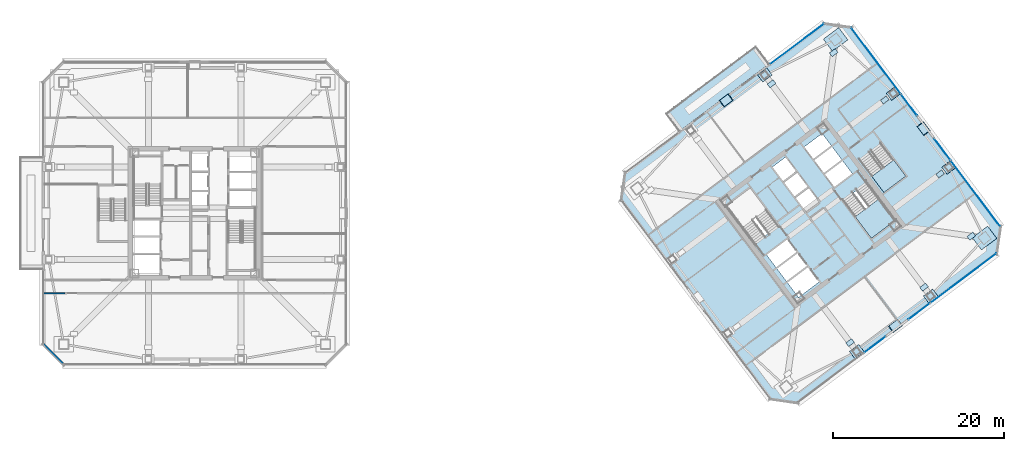
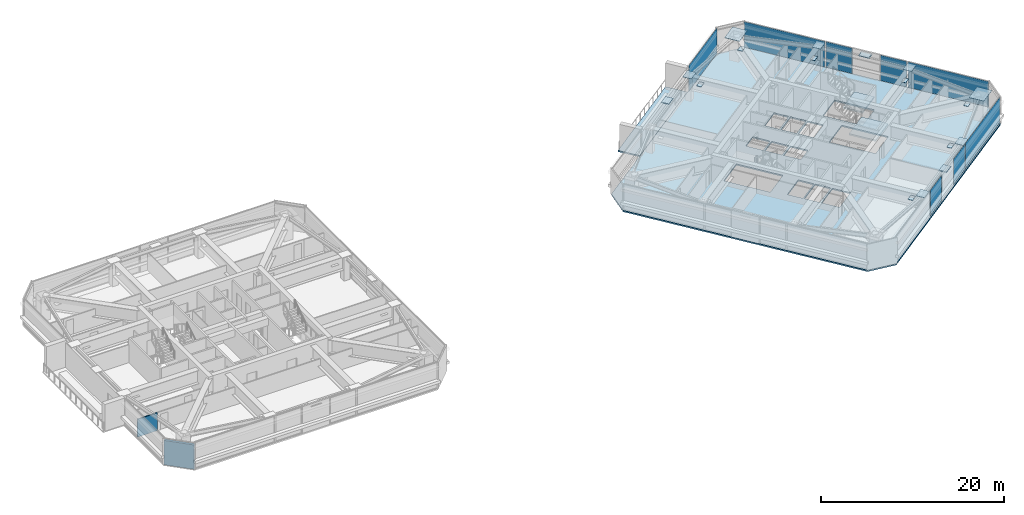
# One storey, part 31 of 42: 28 plates, 4 slabs, 2 walls, 10 elements without a shape of their own.
"""IFC4 building model written with IfcOpenShell, lengths in metres."""

from ifc_helpers import new_model, si_unit, direction, frame, frame_2d, origin, origin_2d, place, context, subcontext, project, spatial, polyline, rectangle, outline, extrude, material, layer, layer_set, type_object, element, aggregate, save


model = new_model("IFC4")

# Units and contexts
model_context = context("Model", 3, precision=1e-05, world=origin(), true_north=direction((0.0, 1.0)))
body_context = subcontext(model_context, "Body", "Model", "MODEL_VIEW")
ifc_project = project(units=[si_unit("LENGTHUNIT", "METRE"), si_unit("AREAUNIT", "SQUARE_METRE"), si_unit("VOLUMEUNIT", "CUBIC_METRE"), si_unit("PLANEANGLEUNIT", "RADIAN"), si_unit("MASSUNIT", "GRAM", prefix="KILO")], contexts=[model_context])

# Site, building, storey
site_placement = place(None, origin())
site = spatial("IfcSite", under=ifc_project, at=site_placement, CompositionType="ELEMENT")
building_placement = place(site_placement, origin())
building = spatial("IfcBuilding", under=site, at=building_placement, Name="Tashvorn Skyway Center", CompositionType="ELEMENT")
storey_placement = place(building_placement, frame((0.0, 0.0, 196.050048828125)))
storey = spatial("IfcBuildingStorey", under=building, at=storey_placement, Name="L53", CompositionType="ELEMENT", Elevation=196.050048828125)

# Curtain wall, plate
ifc_material_1 = material(Name="Thermally broken bronze-anodized aluminium 6063-T6", Category="aluminium")
curtain_wall_type = type_object("IfcCurtainWallType", Name="CW-CW-Z4", PredefinedType="NOTDEFINED", material=ifc_material_1)
curtain_wall_1_placement = place(storey_placement, origin())
curtain_wall_1 = element("IfcCurtainWall", 1, at=curtain_wall_1_placement, inside=storey, type_object=curtain_wall_type, Name="Tower 2 L53 South Unitised Curtain Wall Glazing Group 1", PredefinedType="NOTDEFINED")
ifc_material_2 = material(Name="Low-E solar-control double insulating safety glass", Category="glass")
ifc_layer_1 = layer(ifc_material_2, 0.035888671875)
ifc_layer_set_1 = layer_set([ifc_layer_1], Name="Low-E solar-control double insulating safety glass")
plate_type_1 = type_object("IfcPlateType", Name="CWP-CW-Z4", PredefinedType="CURTAIN_PANEL", material=ifc_layer_set_1)
plate_1_placement = place(storey_placement, frame((131.843994140625, 24.407958984375, 0.06982421875), z_axis=(0.0, 0.0, 1.0), x_axis=(-0.799999999998, -0.600000000002, 0.0)))
plate_1 = element("IfcPlate", 2, at=plate_1_placement, type_object=plate_type_1, Name="CW-Z4 panel 1.1", PredefinedType="CURTAIN_PANEL", context=body_context, shape_type="SweptSolid", body=[
    extrude(rectangle(XDim=9.580078125, YDim=0.035888671875, at=origin_2d()), origin(), (0.0, 0.0, 1.0), 3.409912109375),
])
aggregate(curtain_wall_1, [plate_1])

curtain_wall_2_placement = place(storey_placement, origin())
curtain_wall_2 = element("IfcCurtainWall", 3, at=curtain_wall_2_placement, inside=storey, type_object=curtain_wall_type, Name="Tower 2 L53 South Unitised Curtain Wall Glazing Group 2", PredefinedType="NOTDEFINED")
plate_2_placement = place(storey_placement, frame((126.659912109375, 20.52001953125, 0.06982421875), z_axis=(0.0, 0.0, 1.0), x_axis=(-0.799999999998, -0.600000000002, 0.0)))
plate_2 = element("IfcPlate", 4, at=plate_2_placement, type_object=plate_type_1, Name="CW-Z4 panel 1.1", PredefinedType="CURTAIN_PANEL", context=body_context, shape_type="SweptSolid", body=[
    extrude(rectangle(XDim=3.10009765625, YDim=0.035888671875, at=origin_2d()), origin(), (0.0, 0.0, 1.0), 3.409912109375),
])
aggregate(curtain_wall_2, [plate_2])

curtain_wall_3_placement = place(storey_placement, origin())
curtain_wall_3 = element("IfcCurtainWall", 5, at=curtain_wall_3_placement, inside=storey, type_object=curtain_wall_type, Name="Tower 2 L53 South Unitised Curtain Wall Glazing Group 3", PredefinedType="NOTDEFINED")
plate_3_placement = place(storey_placement, frame((121.47607421875, 16.632080078125, 0.06982421875), z_axis=(0.0, 0.0, 1.0), x_axis=(-0.799999999998, -0.600000000002, 0.0)))
plate_3 = element("IfcPlate", 6, at=plate_3_placement, type_object=plate_type_1, Name="CW-Z4 panel 1.1", PredefinedType="CURTAIN_PANEL", context=body_context, shape_type="SweptSolid", body=[
    extrude(rectangle(XDim=3.10009765625, YDim=0.035888671875, at=origin_2d()), origin(), (0.0, 0.0, 1.0), 3.409912109375),
])
aggregate(curtain_wall_3, [plate_3])

curtain_wall_4_placement = place(storey_placement, origin())
curtain_wall_4 = element("IfcCurtainWall", 7, at=curtain_wall_4_placement, inside=storey, type_object=curtain_wall_type, Name="Tower 2 L53 North Curtain Wall R", PredefinedType="NOTDEFINED")
plate_4_placement = place(storey_placement, frame((112.404052734375, 51.778076171875, 0.06982421875), z_axis=(0.0, 0.0, 1.0), x_axis=(0.799999999998, 0.600000000002, 0.0)))
plate_4 = element("IfcPlate", 8, at=plate_4_placement, type_object=plate_type_1, Name="CW-Z4 panel 1.1", PredefinedType="CURTAIN_PANEL", context=body_context, shape_type="SweptSolid", body=[
    extrude(rectangle(XDim=7.840087890625, YDim=0.035888671875, at=origin_2d()), origin(), (0.0, 0.0, 1.0), 3.409912109375),
])
aggregate(curtain_wall_4, [plate_4])

curtain_wall_5_placement = place(storey_placement, origin())
curtain_wall_5 = element("IfcCurtainWall", 9, at=curtain_wall_5_placement, inside=storey, type_object=curtain_wall_type, Name="Tower 2 L53 East Unitised Curtain Wall Glazing Group 1", PredefinedType="NOTDEFINED")
plate_5_placement = place(storey_placement, frame((121.592041015625, 49.843994140625, 0.06982421875), z_axis=(0.0, 0.0, 1.0), x_axis=(0.600000000002, -0.799999999998, 0.0)))
plate_5 = element("IfcPlate", 10, at=plate_5_placement, type_object=plate_type_1, Name="CW-Z4 panel 1.1", PredefinedType="CURTAIN_PANEL", context=body_context, shape_type="SweptSolid", body=[
    extrude(rectangle(XDim=9.580078125, YDim=0.035888671875, at=origin_2d()), origin(), (0.0, 0.0, 1.0), 3.409912109375),
])
aggregate(curtain_wall_5, [plate_5])

curtain_wall_6_placement = place(storey_placement, origin())
curtain_wall_6 = element("IfcCurtainWall", 11, at=curtain_wall_6_placement, inside=storey, type_object=curtain_wall_type, Name="Tower 2 L53 East Unitised Curtain Wall Glazing Group 2", PredefinedType="NOTDEFINED")
plate_6_placement = place(storey_placement, frame((125.47998046875, 44.659912109375, 0.06982421875), z_axis=(0.0, 0.0, 1.0), x_axis=(0.600000000002, -0.799999999998, 0.0)))
plate_6 = element("IfcPlate", 12, at=plate_6_placement, type_object=plate_type_1, Name="CW-Z4 panel 1.1", PredefinedType="CURTAIN_PANEL", context=body_context, shape_type="SweptSolid", body=[
    extrude(rectangle(XDim=3.10009765625, YDim=0.035888671875, at=origin_2d()), origin(), (0.0, 0.0, 1.0), 3.409912109375),
])
aggregate(curtain_wall_6, [plate_6])

curtain_wall_7_placement = place(storey_placement, origin())
curtain_wall_7 = element("IfcCurtainWall", 13, at=curtain_wall_7_placement, inside=storey, type_object=curtain_wall_type, Name="Tower 2 L53 East Unitised Curtain Wall Glazing Group 3", PredefinedType="NOTDEFINED")
plate_7_placement = place(storey_placement, frame((129.367919921875, 39.47607421875, 0.06982421875), z_axis=(0.0, 0.0, 1.0), x_axis=(0.600000000002, -0.799999999998, 0.0)))
plate_7 = element("IfcPlate", 14, at=plate_7_placement, type_object=plate_type_1, Name="CW-Z4 panel 1.1", PredefinedType="CURTAIN_PANEL", context=body_context, shape_type="SweptSolid", body=[
    extrude(rectangle(XDim=3.10009765625, YDim=0.035888671875, at=origin_2d()), origin(), (0.0, 0.0, 1.0), 3.409912109375),
])
aggregate(curtain_wall_7, [plate_7])

curtain_wall_8_placement = place(storey_placement, origin())
curtain_wall_8 = element("IfcCurtainWall", 15, at=curtain_wall_8_placement, inside=storey, type_object=curtain_wall_type, Name="Tower 2 L53 East Unitised Curtain Wall Glazing Group 4", PredefinedType="NOTDEFINED")
plate_8_placement = place(storey_placement, frame((133.256103515625, 34.2919921875, 0.06982421875), z_axis=(0.0, 0.0, 1.0), x_axis=(0.600000000002, -0.799999999998, 0.0)))
plate_8 = element("IfcPlate", 16, at=plate_8_placement, type_object=plate_type_1, Name="CW-Z4 panel 1.1", PredefinedType="CURTAIN_PANEL", context=body_context, shape_type="SweptSolid", body=[
    extrude(rectangle(XDim=9.580078125, YDim=0.035888671875, at=origin_2d()), origin(), (0.0, 0.0, 1.0), 3.409912109375),
])
aggregate(curtain_wall_8, [plate_8])

# Plates
ifc_material_3 = material(Name="Steel ASTM A572 Grade 50", Category="steel")
ifc_layer_2 = layer(ifc_material_3, 0.034912109375)
ifc_layer_set_2 = layer_set([ifc_layer_2], Name="Steel ASTM A572 Grade 50")
plate_type_2 = type_object("IfcPlateType", Name="PLT-CAP-35", PredefinedType="USERDEFINED", material=ifc_layer_set_2)
for number, where, z_axis, x_axis, name in (
    (17, (123.887939453125, 18.81591796875, 3.2373046875), (0.0, 0.0, 1.0), (0.799999996291, 0.600000004945, 0.0), "Tower 2 Zone 4 S Hollow-Section End Cap Plate"),
    (18, (127.18408203125, 41.887939453125, 3.2373046875), (0.0, 0.0, 1.0), (-0.600000004945, 0.799999996291, 0.0), "Tower 2 Zone 4 E Hollow-Section End Cap Plate"),
    (19, (104.112060546875, 45.18408203125, 3.2373046875), (0.0, 0.0, 1.0), (-0.799999996291, -0.600000004945, 0.0), "Tower 2 Zone 4 N Hollow-Section End Cap Plate"),
):
    element("IfcPlate", number, at=place(storey_placement, frame(where, z_axis=z_axis, x_axis=x_axis)), inside=storey, type_object=plate_type_2, Name=name, ObjectType="END PLATE", PredefinedType="USERDEFINED", context=body_context, shape_type="SweptSolid", body=[
        extrude(rectangle(XDim=1.199951171875, YDim=0.919921875, at=origin_2d()), origin(), (0.0, 0.0, 1.0), 0.034912109375),
    ])
ifc_layer_3 = layer(ifc_material_3, 0.050048828125)
ifc_layer_set_3 = layer_set([ifc_layer_3], Name="Steel ASTM A572 Grade 50")
plate_type_3 = type_object("IfcPlateType", Name="PLT-ENDCAP-1650", PredefinedType="USERDEFINED", material=ifc_layer_set_3)
for number, where, z_axis, x_axis, name in (
    (20, (134.300048828125, 29.10009765625, 3.23974609375), (0.0, 0.0, 1.0), (0.799999996291, 0.600000004945, 0.0), "Tower 2 L53 MC-SE Setback Cap End Plate"),
    (21, (116.89990234375, 52.300048828125, 3.23974609375), (0.0, 0.0, 1.0), (0.799999996291, 0.600000004945, 0.0), "Tower 2 L53 MC-NE Setback Cap End Plate"),
):
    element("IfcPlate", number, at=place(storey_placement, frame(where, z_axis=z_axis, x_axis=x_axis)), inside=storey, type_object=plate_type_3, Name=name, ObjectType="END PLATE", PredefinedType="USERDEFINED", context=body_context, shape_type="SweptSolid", body=[
        extrude(rectangle(XDim=2.25, YDim=1.780029296875, at=origin_2d()), origin(), (0.0, 0.0, 1.0), 0.050048828125),
    ])
ifc_layer_4 = layer(ifc_material_3, 0.050048828125)
ifc_layer_set_4 = layer_set([ifc_layer_4], Name="Steel ASTM A572 Grade 50")
plate_type_4 = type_object("IfcPlateType", Name="PLT-ENDCAP-900", PredefinedType="USERDEFINED", material=ifc_layer_set_4)
for number, where, z_axis, x_axis, name in (
    (22, (119.3701171875, 15.840087890625, 3.23974609375), (0.0, 0.0, 1.0), (0.799999996291, 0.600000004945, 0.0), "Tower 2 L53 FC-S1 Setback Cap End Plate"),
    (23, (128.010009765625, 22.320068359375, 3.23974609375), (0.0, 0.0, 1.0), (0.799999996291, 0.600000004945, 0.0), "Tower 2 L53 FC-S2 Setback Cap End Plate"),
    (24, (130.159912109375, 37.3701171875, 3.23974609375), (0.0, 0.0, 1.0), (0.799999996291, 0.600000004945, 0.0), "Tower 2 L53 FC-E1 Setback Cap End Plate"),
    (25, (123.679931640625, 46.010009765625, 3.23974609375), (0.0, 0.0, 1.0), (0.799999996291, 0.600000004945, 0.0), "Tower 2 L53 FC-E2 Setback Cap End Plate"),
    (26, (108.6298828125, 48.159912109375, 3.23974609375), (0.0, 0.0, 1.0), (0.799999996291, 0.600000004945, 0.0), "Tower 2 L53 FC-N1 Setback Cap End Plate"),
):
    element("IfcPlate", number, at=place(storey_placement, frame(where, z_axis=z_axis, x_axis=x_axis)), inside=storey, type_object=plate_type_4, Name=name, ObjectType="END PLATE", PredefinedType="USERDEFINED", context=body_context, shape_type="SweptSolid", body=[
        extrude(rectangle(XDim=1.35009765625, YDim=1.050048828125, at=origin_2d()), origin(), (0.0, 0.0, 1.0), 0.050048828125),
    ])
ifc_layer_5 = layer(ifc_material_3, 0.044921875)
ifc_layer_set_5 = layer_set([ifc_layer_5], Name="Steel ASTM A572 Grade 50")
plate_type_5 = type_object("IfcPlateType", Name="PLT-GUSSET-45", PredefinedType="USERDEFINED", material=ifc_layer_set_5)
for number, where, z_axis, x_axis, name in (
    (27, (123.887939453125, 18.81591796875, 3.1923828125), (0.0, 0.0, 1.0), (0.799999996291, 0.600000004945, 0.0), "Tower 2 Zone 4 S Apex Node Gusset Plate"),
    (28, (127.18408203125, 41.887939453125, 3.1923828125), (0.0, 0.0, 1.0), (-0.600000004945, 0.799999996291, 0.0), "Tower 2 Zone 4 E Apex Node Gusset Plate"),
    (29, (104.112060546875, 45.18408203125, 3.1923828125), (0.0, 0.0, 1.0), (-0.799999996291, -0.600000004945, 0.0), "Tower 2 Zone 4 N Apex Node Gusset Plate"),
):
    element("IfcPlate", number, at=place(storey_placement, frame(where, z_axis=z_axis, x_axis=x_axis)), inside=storey, type_object=plate_type_5, Name=name, ObjectType="GUSSET PLATE", PredefinedType="USERDEFINED", context=body_context, shape_type="SweptSolid", body=[
        extrude(rectangle(XDim=1.35009765625, YDim=0.949951171875, at=origin_2d()), origin(), (0.0, 0.0, 1.0), 0.044921875),
    ])
ifc_layer_6 = layer(ifc_material_3, 0.030029296875)
ifc_layer_set_6 = layer_set([ifc_layer_6], Name="Steel ASTM A572 Grade 50")
plate_type_6 = type_object("IfcPlateType", Name="PLT-STIFF-30", PredefinedType="SHEET", material=ifc_layer_set_6)
for number, where, z_axis, x_axis, name in (
    (30, (132.760009765625, 29.320068359375, 2.3349609375), (0.0, 0.0, 1.0), (0.799999996291, 0.600000004945, 0.0), "Tower 2 L53 Transfer Bearing Stiffener MC-SE"),
    (31, (116.679931640625, 50.760009765625, 2.3349609375), (0.0, 0.0, 1.0), (0.799999996291, 0.600000004945, 0.0), "Tower 2 L53 Transfer Bearing Stiffener MC-NE"),
    (32, (118.590087890625, 16.8798828125, 2.3349609375), (0.0, 0.0, 1.0), (0.799999996291, 0.600000004945, 0.0), "Tower 2 L53 Transfer Bearing Stiffener FC-S1"),
    (33, (127.22998046875, 23.360107421875, 2.3349609375), (0.0, 0.0, 1.0), (0.799999996291, 0.600000004945, 0.0), "Tower 2 L53 Transfer Bearing Stiffener FC-S2"),
    (34, (129.1201171875, 36.590087890625, 2.3349609375), (0.0, 0.0, 1.0), (0.799999996291, 0.600000004945, 0.0), "Tower 2 L53 Transfer Bearing Stiffener FC-E1"),
    (35, (122.639892578125, 45.22998046875, 2.3349609375), (0.0, 0.0, 1.0), (0.799999996291, 0.600000004945, 0.0), "Tower 2 L53 Transfer Bearing Stiffener FC-E2"),
    (36, (109.409912109375, 47.1201171875, 2.3349609375), (0.0, 0.0, 1.0), (0.799999996291, 0.600000004945, 0.0), "Tower 2 L53 Transfer Bearing Stiffener FC-N1"),
):
    element("IfcPlate", number, at=place(storey_placement, frame(where, z_axis=z_axis, x_axis=x_axis)), inside=storey, type_object=plate_type_6, Name=name, PredefinedType="SHEET", context=body_context, shape_type="SweptSolid", body=[
        extrude(rectangle(XDim=0.85009765625, YDim=0.550048828125, at=origin_2d()), origin(), (0.0, 0.0, 1.0), 0.030029296875),
    ])

# Slab
ifc_material_4 = material(Name="Concrete C40/50", Category="concrete")
ifc_layer_7 = layer(ifc_material_4, 0.179931640625)
ifc_layer_set_7 = layer_set([ifc_layer_7], Name="Concrete C40/50")
slab_type_1 = type_object("IfcSlabType", Name="SLAB-FLR-180", PredefinedType="FLOOR", material=ifc_layer_set_7)
slab_1_placement = place(storey_placement, frame((0.0, 0.0, -0.179931640625)))
element("IfcSlab", 37, at=slab_1_placement, inside=storey, type_object=slab_type_1, Name="Tower 2 L53 Composite Floor Slab", PredefinedType="FLOOR", context=body_context, shape_type="SweptSolid", body=[
    extrude(outline(polyline([(112.5400390625, 9.780029296875), (135.739990234375, 27.179931640625), (136.219970703125, 30.5400390625), (118.820068359375, 53.739990234375), (115.4599609375, 54.219970703125), (92.260009765625, 36.820068359375), (91.780029296875, 33.4599609375), (109.179931640625, 10.260009765625), (112.5400390625, 9.780029296875)]), holes=[polyline([(110.23193359375, 30.52392578125), (106.919921875, 34.93994140625), (104.135986328125, 32.85205078125), (107.447998046875, 28.43603515625), (110.23193359375, 30.52392578125)]), polyline([(117.76806640625, 33.47607421875), (121.080078125, 29.06005859375), (123.864013671875, 31.14794921875), (120.552001953125, 35.56396484375), (117.76806640625, 33.47607421875)]), polyline([(119.7119140625, 38.18408203125), (122.5439453125, 34.407958984375), (125.10400390625, 36.327880859375), (122.27197265625, 40.10400390625), (119.7119140625, 38.18408203125)]), polyline([(109.949951171875, 25.64990234375), (112.35009765625, 27.449951171875), (111.239990234375, 28.929931640625), (108.840087890625, 27.1298828125), (109.949951171875, 25.64990234375)]), polyline([(111.14990234375, 24.050048828125), (113.550048828125, 25.85009765625), (112.43994140625, 27.330078125), (110.0400390625, 25.530029296875), (111.14990234375, 24.050048828125)]), polyline([(112.56005859375, 22.169921875), (114.9599609375, 23.969970703125), (113.669921875, 25.68994140625), (111.27001953125, 23.889892578125), (112.56005859375, 22.169921875)]), polyline([(113.449951171875, 32.14990234375), (114.969970703125, 33.2900390625), (113.739990234375, 34.929931640625), (112.219970703125, 33.7900390625), (113.449951171875, 32.14990234375)]), polyline([(112.10009765625, 33.949951171875), (113.6201171875, 35.090087890625), (112.389892578125, 36.72998046875), (110.8701171875, 35.590087890625), (112.10009765625, 33.949951171875)]), polyline([(110.75, 35.75), (112.27001953125, 36.889892578125), (111.0400390625, 38.530029296875), (109.52001953125, 37.389892578125), (110.75, 35.75)]), polyline([(116.760009765625, 35.070068359375), (118.840087890625, 36.6298828125), (117.72998046875, 38.110107421875), (115.64990234375, 36.550048828125), (116.760009765625, 35.070068359375)]), polyline([(115.530029296875, 36.7099609375), (117.610107421875, 38.27001953125), (116.5, 39.75), (114.419921875, 38.18994140625), (115.530029296875, 36.7099609375)]), polyline([(114.300048828125, 38.35009765625), (116.3798828125, 39.909912109375), (115.330078125, 41.31005859375), (113.25, 39.75), (114.300048828125, 38.35009765625)])]), origin(), (0.0, 0.0, 1.0), 0.179931640625),
])

# Stair, slab
stair_type = type_object("IfcStairType", Name="STAIR-CORE-1500", PredefinedType="HALF_TURN_STAIR", material=ifc_material_4)
stair_1_placement = place(storey_placement, origin())
stair_1 = element("IfcStair", 38, at=stair_1_placement, inside=storey, type_object=stair_type, Name="L53 Tower 2 Exit Stair 2", PredefinedType="HALF_TURN_STAIR")
ifc_layer_8 = layer(ifc_material_4, 0.199951171875)
ifc_layer_set_8 = layer_set([ifc_layer_8], Name="Concrete C40/50")
slab_type_2 = type_object("IfcSlabType", Name="SLAB-LAND-200", PredefinedType="LANDING", material=ifc_layer_set_8)
slab_2_placement = place(storey_placement, frame((0.0, 0.0, 1.574951171875)))
slab_2 = element("IfcSlab", 39, at=slab_2_placement, type_object=slab_type_2, Name="ST-T2-2 landing 1", PredefinedType="LANDING", context=body_context, shape_type="SweptSolid", body=[
    extrude(outline(polyline([(119.17919921875, 31.594482421875), (121.080078125, 29.06005859375), (123.864013671875, 31.14794921875), (121.963134765625, 33.682373046875), (119.17919921875, 31.594482421875)])), origin(), (0.0, 0.0, 1.0), 0.199951171875),
])
aggregate(stair_1, [slab_2])

stair_2_placement = place(storey_placement, origin())
stair_2 = element("IfcStair", 40, at=stair_2_placement, inside=storey, type_object=stair_type, Name="L53 Tower 2 Exit Stair 3", PredefinedType="HALF_TURN_STAIR")
slab_3_placement = place(storey_placement, frame((0.0, 0.0, 1.574951171875)))
slab_3 = element("IfcSlab", 41, at=slab_3_placement, type_object=slab_type_2, Name="ST-T2-3 landing 1", PredefinedType="LANDING", context=body_context, shape_type="SweptSolid", body=[
    extrude(outline(polyline([(121.123291015625, 36.302490234375), (122.5439453125, 34.407958984375), (125.10400390625, 36.327880859375), (123.68310546875, 38.222412109375), (121.123291015625, 36.302490234375)])), origin(), (0.0, 0.0, 1.0), 0.199951171875),
])
aggregate(stair_2, [slab_3])

# Slab
ifc_layer_9 = layer(ifc_material_4, 0.179931640625)
ifc_layer_set_9 = layer_set([ifc_layer_9], Name="Concrete C40/50")
slab_type_3 = type_object("IfcSlabType", Name="SLAB-TERR-200", PredefinedType="FLOOR", material=ifc_layer_set_9)
slab_4_placement = place(storey_placement, frame((0.0, 0.0, -0.179931640625)))
element("IfcSlab", 42, at=slab_4_placement, inside=storey, type_object=slab_type_3, Name="Tower 2 L53 Sky Garden Slab", PredefinedType="FLOOR", context=body_context, shape_type="SweptSolid", body=[
    extrude(outline(polyline([(98.5859375, 41.552001953125), (109.14599609375, 49.471923828125), (107.580078125, 51.56005859375), (97.02001953125, 43.639892578125), (98.5859375, 41.552001953125)])), origin(), (0.0, 0.0, 1.0), 0.179931640625),
])

# Walls
ifc_material_5 = material(Name="Precast concrete C40/50", Category="concrete")
ifc_layer_10 = layer(ifc_material_5, 0.280029296875)
ifc_layer_set_10 = layer_set([ifc_layer_10], Name="Precast concrete C40/50")
wall_type_1 = type_object("IfcWallType", Name="WALL-EXT-280", PredefinedType="SOLIDWALL", material=ifc_layer_set_10)
wall_1_placement = place(storey_placement, frame((26.699951171875, 14.300048828125, 0.0), z_axis=(0.0, 0.0, 1.0), x_axis=(-0.707106781187, 0.707106781187, 0.0)))
element("IfcWall", 43, at=wall_1_placement, inside=storey, type_object=wall_type_1, Name="Tower 1 L53 SW Precast Chamfer Wall", PredefinedType="SOLIDWALL", context=body_context, shape_type="SweptSolid", body=[
    extrude(rectangle(XDim=3.39404296875, YDim=0.280029296875, at=frame_2d((1.697021484375, 0.0))), origin(), (0.0, 0.0, 1.0), 3.25),
])
ifc_material_6 = material(Name="Gypsum board on cold-formed steel stud framing", Category="steel")
ifc_layer_11 = layer(ifc_material_6, 0.135009765625)
ifc_layer_set_11 = layer_set([ifc_layer_11], Name="Gypsum board on cold-formed steel stud framing")
wall_type_2 = type_object("IfcWallType", Name="WALL-PART-135", PredefinedType="PARTITIONING", material=ifc_layer_set_11)
wall_2_placement = place(storey_placement, frame((24.320068359375, 22.64990234375, 0.0), z_axis=(0.0, 0.0, 1.0), x_axis=(1.0, 0.0, 0.0)))
element("IfcWall", 44, at=wall_2_placement, inside=storey, type_object=wall_type_2, Name="Tower 1 L53 South-West Suite North Wall", PredefinedType="PARTITIONING", context=body_context, shape_type="SweptSolid", body=[
    extrude(rectangle(XDim=2.530029296875, YDim=0.135009765625, at=frame_2d((1.26513671875, 0.0))), origin(), (0.0, 0.0, 1.0), 2.39306640625),
])

save(model, "model.ifc")
